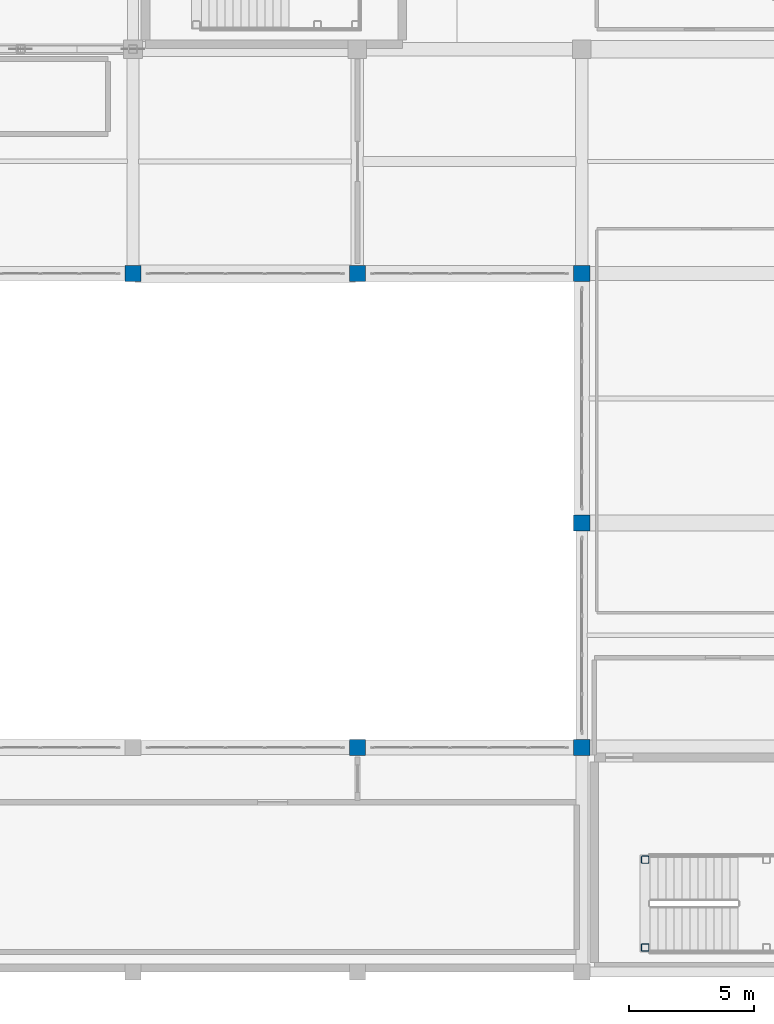
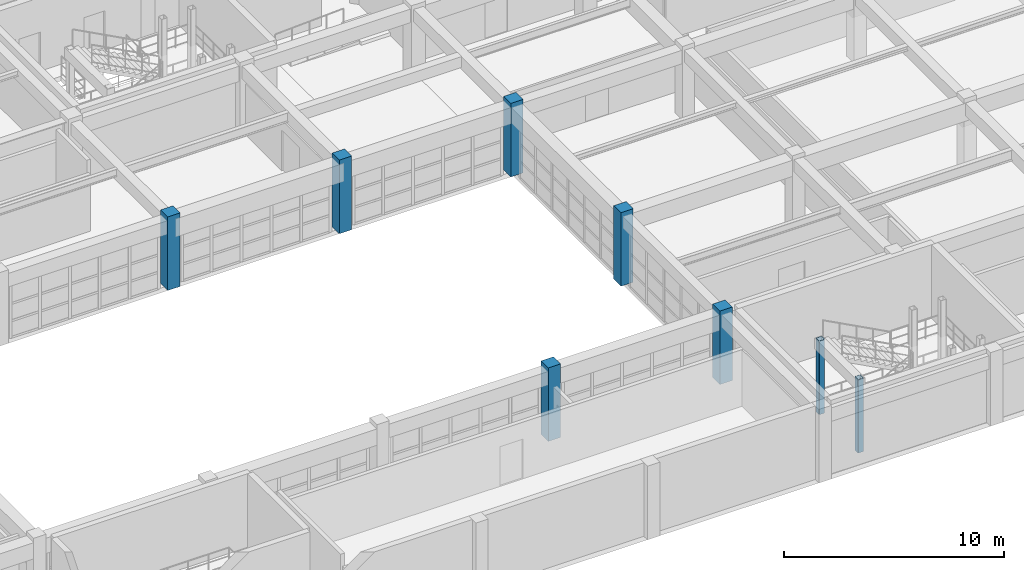
# One storey, part 2 of 130: 8 columns.
"""IFC4 building model written with IfcOpenShell, lengths in metres."""

from ifc_helpers import new_model, si_unit, direction, frame, origin, origin_2d, place, context, subcontext, project, spatial, rectangle, hollow_rectangle, extrude, material, material_profile, profile_set, type_object, element, save


model = new_model("IFC4")

# Units and contexts
model_context = context("Model", 3, precision=1e-05, world=origin(), true_north=direction((0.0, 1.0)))
body_context = subcontext(model_context, "Body", "Model", "MODEL_VIEW")
ifc_project = project(units=[si_unit("LENGTHUNIT", "METRE"), si_unit("AREAUNIT", "SQUARE_METRE"), si_unit("VOLUMEUNIT", "CUBIC_METRE"), si_unit("PLANEANGLEUNIT", "RADIAN"), si_unit("MASSUNIT", "GRAM", prefix="KILO")], contexts=[model_context])

# Site, building, storey
site_placement = place(None, origin())
site = spatial("IfcSite", under=ifc_project, at=site_placement, CompositionType="ELEMENT")
building_placement = place(site_placement, origin())
building = spatial("IfcBuilding", under=site, at=building_placement, Name="Miravela Opera House", CompositionType="ELEMENT")
storey_placement = place(building_placement, frame((0.0, 0.0, 9.52001953125)))
storey = spatial("IfcBuildingStorey", under=building, at=storey_placement, Name="L02", CompositionType="ELEMENT", Elevation=9.52001953125)

# Columns
ifc_material_1 = material(Name="Hollow structural steel ASTM A500 Gr. C", Category="steel")
ifc_material_profile_1 = material_profile(ifc_material_1, hollow_rectangle(XDim=0.300048828125, YDim=0.300048828125, WallThickness=0.01611328125, InnerFilletRadius=0.01611328125, OuterFilletRadius=0.031982421875, at=origin_2d()), Name="HSS300X300X16")
ifc_profile_set_1 = profile_set([ifc_material_profile_1])
column_type_1 = type_object("IfcColumnType", Name="STR-COL-HSS300", PredefinedType="COLUMN", material=ifc_profile_set_1)
for number, where, z_axis, x_axis, name in (
    (1, (65.5400390625, 0.97998046875, 0.0), (0.0, 0.0, 1.0), (1.0, 0.0, 0.0), "Stair K6 Landing Support Column 1 (L02)"),
    (2, (65.5400390625, 4.5, 0.0), (0.0, 0.0, 1.0), (1.0, 0.0, 0.0), "Stair K6 Landing Support Column 2 (L02)"),
):
    element("IfcColumn", number, at=place(storey_placement, frame(where, z_axis=z_axis, x_axis=x_axis)), inside=storey, type_object=column_type_1, Name=name, PredefinedType="COLUMN", context=body_context, shape_type="SweptSolid", body=[
        extrude(hollow_rectangle(XDim=0.300048828125, YDim=0.300048828125, WallThickness=0.01611328125, InnerFilletRadius=0.01611328125, OuterFilletRadius=0.031982421875, at=origin_2d()), origin(), (0.0, 0.0, 1.0), 4.080078125),
    ])
ifc_material_2 = material(Name="Concrete C35/45", Category="concrete")
ifc_material_profile_2 = material_profile(ifc_material_2, rectangle(XDim=0.64990234375, YDim=0.64990234375, at=origin_2d()), Name="RC-COL-650X650")
ifc_profile_set_2 = profile_set([ifc_material_profile_2])
column_type_2 = type_object("IfcColumnType", Name="STR-COL-RC650", PredefinedType="COLUMN", material=ifc_profile_set_2)
for number, where, z_axis, x_axis, name in (
    (3, (45.0, 28.0, 0.0), (0.0, 0.0, 1.0), (1.0, 0.0, 0.0), "Column C-6D (L02)"),
    (4, (54.0, 9.0, 0.0), (0.0, 0.0, 1.0), (1.0, 0.0, 0.0), "Column C-7B (L02)"),
    (5, (54.0, 28.0, 0.0), (0.0, 0.0, 1.0), (1.0, 0.0, 0.0), "Column C-7D (L02)"),
    (6, (63.0, 9.0, 0.0), (0.0, 0.0, 1.0), (1.0, 0.0, 0.0), "Column C-8B (L02)"),
    (7, (63.0, 18.0, 0.0), (0.0, 0.0, 1.0), (1.0, 0.0, 0.0), "Column C-8C (L02)"),
    (8, (63.0, 28.0, 0.0), (0.0, 0.0, 1.0), (1.0, 0.0, 0.0), "Column C-8D (L02)"),
):
    element("IfcColumn", number, at=place(storey_placement, frame(where, z_axis=z_axis, x_axis=x_axis)), inside=storey, type_object=column_type_2, Name=name, PredefinedType="COLUMN", context=body_context, shape_type="SweptSolid", body=[
        extrude(rectangle(XDim=0.64990234375, YDim=0.64990234375, at=origin_2d()), origin(), (0.0, 0.0, 1.0), 4.080078125),
    ])

save(model, "model.ifc")
